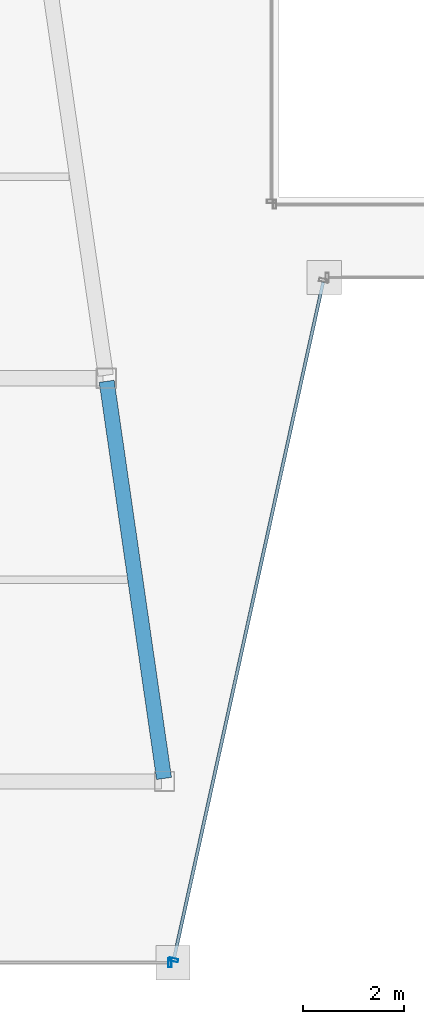
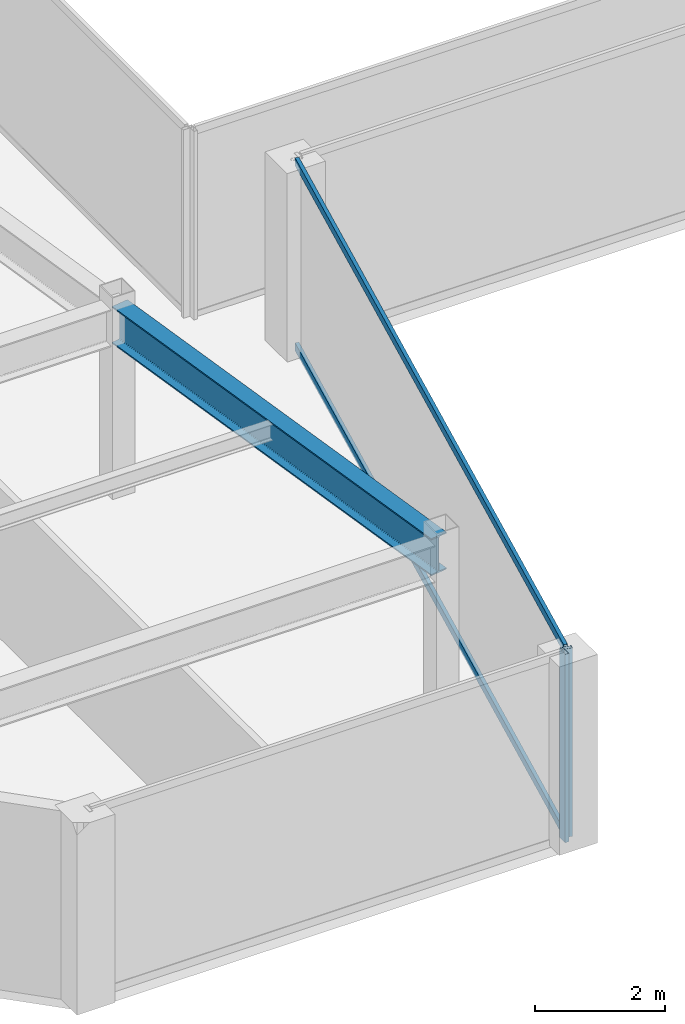
# One storey, part 6 of 36: 4 members, 1 beam, 2 elements without a shape of their own.
"""IFC4 building model written with IfcOpenShell, lengths in metres."""

from ifc_helpers import new_model, si_unit, direction, frame, origin, origin_2d, place, context, subcontext, project, spatial, hollow_rectangle, i_section, extrude, material, material_profile, profile_set, type_object, element, aggregate, save


model = new_model("IFC4")

# Units and contexts
model_context = context("Model", 3, precision=1e-05, world=origin(), true_north=direction((0.0, 1.0)))
body_context = subcontext(model_context, "Body", "Model", "MODEL_VIEW")
ifc_project = project(units=[si_unit("LENGTHUNIT", "METRE"), si_unit("AREAUNIT", "SQUARE_METRE"), si_unit("VOLUMEUNIT", "CUBIC_METRE"), si_unit("PLANEANGLEUNIT", "RADIAN"), si_unit("MASSUNIT", "GRAM", prefix="KILO")], contexts=[model_context])

# Site, building, storey
site_placement = place(None, origin())
site = spatial("IfcSite", under=ifc_project, at=site_placement, CompositionType="ELEMENT")
building_placement = place(site_placement, origin())
building = spatial("IfcBuilding", under=site, at=building_placement, Name="Saevonmaru Cultural Tower", CompositionType="ELEMENT")
storey_placement = place(building_placement, frame((0.0, 0.0, 209.39990234375)))
storey = spatial("IfcBuildingStorey", under=building, at=storey_placement, Name="L48", CompositionType="ELEMENT", Elevation=209.39990234375)

# Beam
ifc_material_1 = material(Name="Steel SM355", Category="steel")
ifc_material_profile_1 = material_profile(ifc_material_1, i_section(OverallWidth=0.300048828125, OverallDepth=0.699951171875, WebThickness=0.012939453125, FlangeThickness=0.02392578125, FilletRadius=0.02587890625, at=origin_2d()), Name="H-700x300x13x24")
ifc_profile_set_1 = profile_set([ifc_material_profile_1], Name="Steel SM355")
beam_type = type_object("IfcBeamType", Name="BM-G-H700", PredefinedType="BEAM", material=ifc_profile_set_1)
beam_placement = place(storey_placement, frame((21.91943359375, 16.059326171875, 3.2001953125), z_axis=(-0.143022161059, 0.989719486241, 0.0), x_axis=(-0.989719486241, -0.143022161059, 0.0)))
element("IfcBeam", 1, at=beam_placement, inside=storey, type_object=beam_type, Name="L48 West Atrium Girder 1", PredefinedType="BEAM", context=body_context, shape_type="SweptSolid", body=[
    extrude(i_section(OverallWidth=0.300048828125, OverallDepth=0.699951171875, WebThickness=0.012939453125, FlangeThickness=0.02392578125, FilletRadius=0.02587890625, at=origin_2d()), origin(), (0.0, 0.0, 1.0), 7.963134765625),
])

# Curtain wall, member
ifc_material_2 = material(Name="Satin Bronze Anodised Aluminium", Category="aluminium")
curtain_wall_type = type_object("IfcCurtainWallType", Name="CW-TYP-B", PredefinedType="NOTDEFINED", material=ifc_material_2)
curtain_wall_1_placement = place(storey_placement, origin())
curtain_wall_1 = element("IfcCurtainWall", 2, at=curtain_wall_1_placement, inside=storey, type_object=curtain_wall_type, Name="L48 Unitised Curtain Wall E2", PredefinedType="NOTDEFINED")
ifc_material_profile_2 = material_profile(ifc_material_2, hollow_rectangle(XDim=0.06494140625, YDim=0.179931640625, WallThickness=0.00390625, at=origin_2d()), Name="ALU-MULL-180x65x4")
ifc_profile_set_2 = profile_set([ifc_material_profile_2], Name="Satin Bronze Anodised Aluminium")
member_type_1 = type_object("IfcMemberType", Name="ML-CW-180x65", PredefinedType="MULLION", material=ifc_profile_set_2)
member_1_placement = place(storey_placement, frame((22.037841796875, 12.39990234375, 0.0), z_axis=(0.0, 0.0, 1.0), x_axis=(1.0, 0.0, 0.0)))
member_1 = element("IfcMember", 3, at=member_1_placement, type_object=member_type_1, Name="CW-TW-L48-E2 mullion 2", PredefinedType="MULLION", context=body_context, shape_type="SweptSolid", body=[
    extrude(hollow_rectangle(XDim=0.06494140625, YDim=0.179931640625, WallThickness=0.00390625, at=origin_2d()), origin(), (0.0, 0.0, 1.0), 3.550048828125),
])
aggregate(curtain_wall_1, [member_1])

# Curtain wall, members
curtain_wall_2_placement = place(storey_placement, origin())
curtain_wall_2 = element("IfcCurtainWall", 4, at=curtain_wall_2_placement, inside=storey, type_object=curtain_wall_type, Name="L48 Unitised Curtain Wall E3", PredefinedType="NOTDEFINED")
member_2_placement = place(storey_placement, frame((22.110595703125, 12.45849609375, 0.0), z_axis=(0.0, 0.0, 1.0), x_axis=(0.215413319953, 0.976522965212, 0.0)))
member_2 = element("IfcMember", 5, at=member_2_placement, type_object=member_type_1, Name="CW-TW-L48-E3 mullion 1", PredefinedType="MULLION", context=body_context, shape_type="SweptSolid", body=[
    extrude(hollow_rectangle(XDim=0.06494140625, YDim=0.179931640625, WallThickness=0.00390625, at=origin_2d()), origin(), (0.0, 0.0, 1.0), 3.550048828125),
])
ifc_material_profile_3 = material_profile(ifc_material_2, hollow_rectangle(XDim=0.06494140625, YDim=0.14990234375, WallThickness=0.00390625, at=origin_2d()), Name="ALU-TRAN-150x65x4")
ifc_profile_set_3 = profile_set([ifc_material_profile_3], Name="Satin Bronze Anodised Aluminium")
member_type_2 = type_object("IfcMemberType", Name="TR-CW-150x65", PredefinedType="USERDEFINED", material=ifc_profile_set_3)
member_3_placement = place(storey_placement, frame((22.11767578125, 12.490234375, 0.03271484375), z_axis=(0.21541214732, 0.976523223885, 0.0), x_axis=(-0.976523223885, 0.21541214732, 0.0)))
member_3 = element("IfcMember", 6, at=member_3_placement, type_object=member_type_2, Name="CW-TW-L48-E3 transom 1.1", ObjectType="TRANSOM", PredefinedType="USERDEFINED", context=body_context, shape_type="SweptSolid", body=[
    extrude(hollow_rectangle(XDim=0.06494140625, YDim=0.14990234375, WallThickness=0.00390625, at=origin_2d()), origin(), (0.0, 0.0, 1.0), 13.741943359375),
])
member_4_placement = place(storey_placement, frame((22.11767578125, 12.490234375, 3.517578125), z_axis=(0.21541214732, 0.976523223885, 0.0), x_axis=(-0.976523223885, 0.21541214732, 0.0)))
member_4 = element("IfcMember", 7, at=member_4_placement, type_object=member_type_2, Name="CW-TW-L48-E3 transom 1.2", ObjectType="TRANSOM", PredefinedType="USERDEFINED", context=body_context, shape_type="SweptSolid", body=[
    extrude(hollow_rectangle(XDim=0.06494140625, YDim=0.14990234375, WallThickness=0.00390625, at=origin_2d()), origin(), (0.0, 0.0, 1.0), 13.741943359375),
])
aggregate(curtain_wall_2, [member_2, member_3, member_4])

save(model, "model.ifc")
